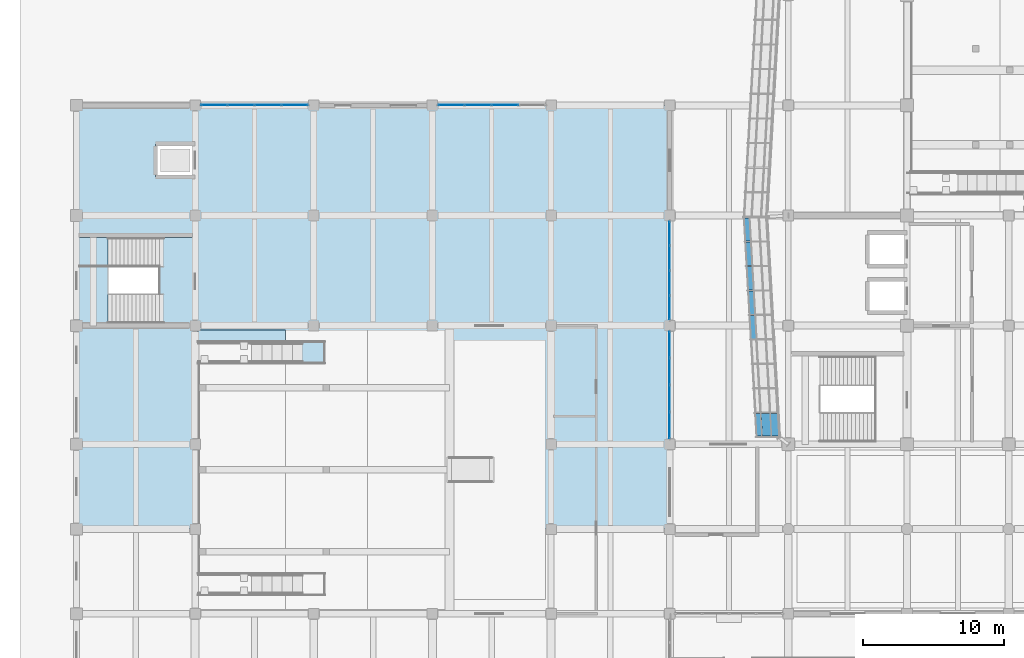
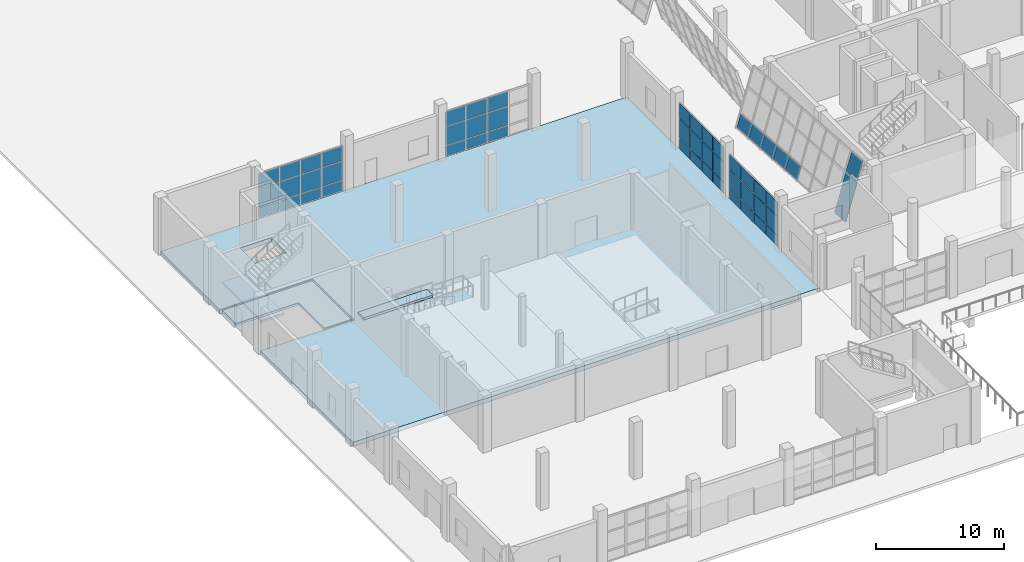
# One storey, part 47 of 78: 53 plates, 4 slabs, 6 elements without a shape of their own.
"""IFC4 building model written with IfcOpenShell, lengths in metres."""

from ifc_helpers import new_model, si_unit, direction, frame, origin, place, context, subcontext, project, spatial, polyline, outline, extrude, material, layer, layer_set, type_object, element, aggregate, save


model = new_model("IFC4")

# Units and contexts
model_context = context("Model", 3, precision=1e-05, world=origin(), true_north=direction((0.0, 1.0)))
body_context = subcontext(model_context, "Body", "Model", "MODEL_VIEW")
ifc_project = project(units=[si_unit("LENGTHUNIT", "METRE"), si_unit("AREAUNIT", "SQUARE_METRE"), si_unit("VOLUMEUNIT", "CUBIC_METRE"), si_unit("PLANEANGLEUNIT", "RADIAN"), si_unit("MASSUNIT", "GRAM", prefix="KILO")], contexts=[model_context])

# Site, building, storey
site_placement = place(None, origin())
site = spatial("IfcSite", under=ifc_project, at=site_placement, CompositionType="ELEMENT")
building_placement = place(site_placement, origin())
building = spatial("IfcBuilding", under=site, at=building_placement, Name="Pellamere Symphony Hall", CompositionType="ELEMENT")
storey_placement = place(building_placement, origin())
storey = spatial("IfcBuildingStorey", under=building, at=storey_placement, Name="L00", CompositionType="ELEMENT", Elevation=0.0)

# Curtain wall, plates
ifc_material_1 = material(Name="Thermally Broken Anodised Aluminium 6063-T6 Curtain Wall", Category="aluminium")
curtain_wall_type_1 = type_object("IfcCurtainWallType", Name="Curtain Wall CW-04 (Chamber Music Lobby Curtain Wall)", PredefinedType="NOTDEFINED", material=ifc_material_1)
curtain_wall_1_placement = place(storey_placement, origin())
curtain_wall_1 = element("IfcCurtainWall", 1, at=curtain_wall_1_placement, inside=storey, type_object=curtain_wall_type_1, Name="Chamber Forecourt East Curtain Wall (L00 Bay 2)", PredefinedType="NOTDEFINED")
ifc_material_2 = material(Name="Triple Low-E Argon Acoustic Glazing 36mm", Category="glass")
ifc_layer_1 = layer(ifc_material_2, 0.035888671875, Name="Triple Low-E Argon Acoustic Glazing 36mm")
ifc_layer_set_1 = layer_set([ifc_layer_1], Name="Triple Low-E Argon Acoustic Glazing 36mm")
plate_type_1 = type_object("IfcPlateType", Name="Facade Panel GL-01 36mm", PredefinedType="CURTAIN_PANEL", material=ifc_layer_set_1)
plate_1_placement = place(storey_placement, frame((42.0, 30.43994140625, 0.06494140625), z_axis=(1.0, 0.0, 0.0), x_axis=(0.0, 1.0, 0.0)))
plate_1 = element("IfcPlate", 2, at=plate_1_placement, type_object=plate_type_1, Name="CW4E-110 crystal glass panel 1.1", PredefinedType="CURTAIN_PANEL", context=body_context, shape_type="SweptSolid", body=[
    extrude(outline(polyline([(0.0, 0.0), (1.81494140625, 0.0), (1.81494140625, 0.9345703125), (0.0, 0.9345703125), (0.0, 0.0)])), origin(), (0.0, 0.0, -1.0), 0.035888671875),
])
plate_2_placement = place(storey_placement, frame((42.0, 30.43994140625, 1.064453125), z_axis=(1.0, 0.0, 0.0), x_axis=(0.0, 1.0, 0.0)))
plate_2 = element("IfcPlate", 3, at=plate_2_placement, type_object=plate_type_1, Name="CW4E-110 crystal glass panel 1.2", PredefinedType="CURTAIN_PANEL", context=body_context, shape_type="SweptSolid", body=[
    extrude(outline(polyline([(0.0, 0.0), (1.81494140625, 0.0), (1.81494140625, 1.740966796875), (0.0, 1.740966796875), (0.0, 0.0)])), origin(), (0.0, 0.0, -1.0), 0.035888671875),
])
plate_3_placement = place(storey_placement, frame((42.0, 30.43994140625, 2.87060546875), z_axis=(1.0, 0.0, 0.0), x_axis=(0.0, 1.0, 0.0)))
plate_3 = element("IfcPlate", 4, at=plate_3_placement, type_object=plate_type_1, Name="CW4E-110 crystal glass panel 1.3", PredefinedType="CURTAIN_PANEL", context=body_context, shape_type="SweptSolid", body=[
    extrude(outline(polyline([(0.0, 0.0), (1.81494140625, 0.0), (1.81494140625, 1.364501953125), (0.0, 1.364501953125), (0.0, 0.0)])), origin(), (0.0, 0.0, -1.0), 0.035888671875),
])
plate_4_placement = place(storey_placement, frame((42.0, 32.320068359375, 0.06494140625), z_axis=(1.0, 0.0, 0.0), x_axis=(0.0, 1.0, 0.0)))
plate_4 = element("IfcPlate", 5, at=plate_4_placement, type_object=plate_type_1, Name="CW4E-110 crystal glass panel 2.1", PredefinedType="CURTAIN_PANEL", context=body_context, shape_type="SweptSolid", body=[
    extrude(outline(polyline([(0.0, 0.0), (1.847412109375, 0.0), (1.847412109375, 0.9345703125), (0.0, 0.9345703125), (0.0, 0.0)])), origin(), (0.0, 0.0, -1.0), 0.035888671875),
])
plate_5_placement = place(storey_placement, frame((42.0, 32.320068359375, 1.064453125), z_axis=(1.0, 0.0, 0.0), x_axis=(0.0, 1.0, 0.0)))
plate_5 = element("IfcPlate", 6, at=plate_5_placement, type_object=plate_type_1, Name="CW4E-110 crystal glass panel 2.2", PredefinedType="CURTAIN_PANEL", context=body_context, shape_type="SweptSolid", body=[
    extrude(outline(polyline([(0.0, 0.0), (1.847412109375, 0.0), (1.847412109375, 1.740966796875), (0.0, 1.740966796875), (0.0, 0.0)])), origin(), (0.0, 0.0, -1.0), 0.035888671875),
])
plate_6_placement = place(storey_placement, frame((42.0, 32.320068359375, 2.87060546875), z_axis=(1.0, 0.0, 0.0), x_axis=(0.0, 1.0, 0.0)))
plate_6 = element("IfcPlate", 7, at=plate_6_placement, type_object=plate_type_1, Name="CW4E-110 crystal glass panel 2.3", PredefinedType="CURTAIN_PANEL", context=body_context, shape_type="SweptSolid", body=[
    extrude(outline(polyline([(0.0, 0.0), (1.847412109375, 0.0), (1.847412109375, 1.364501953125), (0.0, 1.364501953125), (0.0, 0.0)])), origin(), (0.0, 0.0, -1.0), 0.035888671875),
])
plate_7_placement = place(storey_placement, frame((42.0, 34.232421875, 0.06494140625), z_axis=(1.0, 0.0, 0.0), x_axis=(0.0, 1.0, 0.0)))
plate_7 = element("IfcPlate", 8, at=plate_7_placement, type_object=plate_type_1, Name="CW4E-110 crystal glass panel 3.1", PredefinedType="CURTAIN_PANEL", context=body_context, shape_type="SweptSolid", body=[
    extrude(outline(polyline([(0.0, 0.0), (1.84765625, 0.0), (1.84765625, 0.9345703125), (0.0, 0.9345703125), (0.0, 0.0)])), origin(), (0.0, 0.0, -1.0), 0.035888671875),
])
plate_8_placement = place(storey_placement, frame((42.0, 34.232421875, 1.064453125), z_axis=(1.0, 0.0, 0.0), x_axis=(0.0, 1.0, 0.0)))
plate_8 = element("IfcPlate", 9, at=plate_8_placement, type_object=plate_type_1, Name="CW4E-110 crystal glass panel 3.2", PredefinedType="CURTAIN_PANEL", context=body_context, shape_type="SweptSolid", body=[
    extrude(outline(polyline([(0.0, 0.0), (1.84765625, 0.0), (1.84765625, 1.740966796875), (0.0, 1.740966796875), (0.0, 0.0)])), origin(), (0.0, 0.0, -1.0), 0.035888671875),
])
plate_9_placement = place(storey_placement, frame((42.0, 34.232421875, 2.87060546875), z_axis=(1.0, 0.0, 0.0), x_axis=(0.0, 1.0, 0.0)))
plate_9 = element("IfcPlate", 10, at=plate_9_placement, type_object=plate_type_1, Name="CW4E-110 crystal glass panel 3.3", PredefinedType="CURTAIN_PANEL", context=body_context, shape_type="SweptSolid", body=[
    extrude(outline(polyline([(0.0, 0.0), (1.84765625, 0.0), (1.84765625, 1.364501953125), (0.0, 1.364501953125), (0.0, 0.0)])), origin(), (0.0, 0.0, -1.0), 0.035888671875),
])
plate_10_placement = place(storey_placement, frame((42.0, 36.14501953125, 0.06494140625), z_axis=(1.0, 0.0, 0.0), x_axis=(0.0, 1.0, 0.0)))
plate_10 = element("IfcPlate", 11, at=plate_10_placement, type_object=plate_type_1, Name="CW4E-110 crystal glass panel 4.1", PredefinedType="CURTAIN_PANEL", context=body_context, shape_type="SweptSolid", body=[
    extrude(outline(polyline([(0.0, 0.0), (1.81494140625, 0.0), (1.81494140625, 0.9345703125), (0.0, 0.9345703125), (0.0, 0.0)])), origin(), (0.0, 0.0, -1.0), 0.035888671875),
])
plate_11_placement = place(storey_placement, frame((42.0, 36.14501953125, 1.064453125), z_axis=(1.0, 0.0, 0.0), x_axis=(0.0, 1.0, 0.0)))
plate_11 = element("IfcPlate", 12, at=plate_11_placement, type_object=plate_type_1, Name="CW4E-110 crystal glass panel 4.2", PredefinedType="CURTAIN_PANEL", context=body_context, shape_type="SweptSolid", body=[
    extrude(outline(polyline([(0.0, 0.0), (1.81494140625, 0.0), (1.81494140625, 1.740966796875), (0.0, 1.740966796875), (0.0, 0.0)])), origin(), (0.0, 0.0, -1.0), 0.035888671875),
])
plate_12_placement = place(storey_placement, frame((42.0, 36.14501953125, 2.87060546875), z_axis=(1.0, 0.0, 0.0), x_axis=(0.0, 1.0, 0.0)))
plate_12 = element("IfcPlate", 13, at=plate_12_placement, type_object=plate_type_1, Name="CW4E-110 crystal glass panel 4.3", PredefinedType="CURTAIN_PANEL", context=body_context, shape_type="SweptSolid", body=[
    extrude(outline(polyline([(0.0, 0.0), (1.81494140625, 0.0), (1.81494140625, 1.364501953125), (0.0, 1.364501953125), (0.0, 0.0)])), origin(), (0.0, 0.0, -1.0), 0.035888671875),
])
aggregate(curtain_wall_1, [plate_1, plate_2, plate_3, plate_4, plate_5, plate_6, plate_7, plate_8, plate_9, plate_10, plate_11, plate_12])

curtain_wall_2_placement = place(storey_placement, origin())
curtain_wall_2 = element("IfcCurtainWall", 14, at=curtain_wall_2_placement, inside=storey, type_object=curtain_wall_type_1, Name="Chamber Forecourt East Curtain Wall (L00 Bay 3)", PredefinedType="NOTDEFINED")
plate_13_placement = place(storey_placement, frame((42.0, 38.840087890625, 0.06494140625), z_axis=(1.0, 0.0, 0.0), x_axis=(0.0, 1.0, 0.0)))
plate_13 = element("IfcPlate", 15, at=plate_13_placement, type_object=plate_type_1, Name="CW4E-111 crystal glass panel 1.1", PredefinedType="CURTAIN_PANEL", context=body_context, shape_type="SweptSolid", body=[
    extrude(outline(polyline([(0.0, 0.0), (1.664794921875, 0.0), (1.664794921875, 0.970458984375), (0.0, 0.970458984375), (0.0, 0.0)])), origin(), (0.0, 0.0, -1.0), 0.035888671875),
])
plate_14_placement = place(storey_placement, frame((42.0, 38.840087890625, 1.1005859375), z_axis=(1.0, 0.0, 0.0), x_axis=(0.0, 1.0, 0.0)))
plate_14 = element("IfcPlate", 16, at=plate_14_placement, type_object=plate_type_1, Name="CW4E-111 crystal glass panel 1.2", PredefinedType="CURTAIN_PANEL", context=body_context, shape_type="SweptSolid", body=[
    extrude(outline(polyline([(0.0, 0.0), (1.664794921875, 0.0), (1.664794921875, 1.803955078125), (0.0, 1.803955078125), (0.0, 0.0)])), origin(), (0.0, 0.0, -1.0), 0.035888671875),
])
plate_15_placement = place(storey_placement, frame((42.0, 38.840087890625, 2.969482421875), z_axis=(1.0, 0.0, 0.0), x_axis=(0.0, 1.0, 0.0)))
plate_15 = element("IfcPlate", 17, at=plate_15_placement, type_object=plate_type_1, Name="CW4E-111 crystal glass panel 1.3", PredefinedType="CURTAIN_PANEL", context=body_context, shape_type="SweptSolid", body=[
    extrude(outline(polyline([(0.0, 0.0), (1.664794921875, 0.0), (1.664794921875, 1.41552734375), (0.0, 1.41552734375), (0.0, 0.0)])), origin(), (0.0, 0.0, -1.0), 0.035888671875),
])
plate_16_placement = place(storey_placement, frame((42.0, 40.570068359375, 0.06494140625), z_axis=(1.0, 0.0, 0.0), x_axis=(0.0, 1.0, 0.0)))
plate_16 = element("IfcPlate", 18, at=plate_16_placement, type_object=plate_type_1, Name="CW4E-111 crystal glass panel 2.1", PredefinedType="CURTAIN_PANEL", context=body_context, shape_type="SweptSolid", body=[
    extrude(outline(polyline([(0.0, 0.0), (1.697509765625, 0.0), (1.697509765625, 0.970458984375), (0.0, 0.970458984375), (0.0, 0.0)])), origin(), (0.0, 0.0, -1.0), 0.035888671875),
])
plate_17_placement = place(storey_placement, frame((42.0, 40.570068359375, 1.1005859375), z_axis=(1.0, 0.0, 0.0), x_axis=(0.0, 1.0, 0.0)))
plate_17 = element("IfcPlate", 19, at=plate_17_placement, type_object=plate_type_1, Name="CW4E-111 crystal glass panel 2.2", PredefinedType="CURTAIN_PANEL", context=body_context, shape_type="SweptSolid", body=[
    extrude(outline(polyline([(0.0, 0.0), (1.697509765625, 0.0), (1.697509765625, 1.803955078125), (0.0, 1.803955078125), (0.0, 0.0)])), origin(), (0.0, 0.0, -1.0), 0.035888671875),
])
plate_18_placement = place(storey_placement, frame((42.0, 40.570068359375, 2.969482421875), z_axis=(1.0, 0.0, 0.0), x_axis=(0.0, 1.0, 0.0)))
plate_18 = element("IfcPlate", 20, at=plate_18_placement, type_object=plate_type_1, Name="CW4E-111 crystal glass panel 2.3", PredefinedType="CURTAIN_PANEL", context=body_context, shape_type="SweptSolid", body=[
    extrude(outline(polyline([(0.0, 0.0), (1.697509765625, 0.0), (1.697509765625, 1.41552734375), (0.0, 1.41552734375), (0.0, 0.0)])), origin(), (0.0, 0.0, -1.0), 0.035888671875),
])
plate_19_placement = place(storey_placement, frame((42.0, 42.33251953125, 0.06494140625), z_axis=(1.0, 0.0, 0.0), x_axis=(0.0, 1.0, 0.0)))
plate_19 = element("IfcPlate", 21, at=plate_19_placement, type_object=plate_type_1, Name="CW4E-111 crystal glass panel 3.1", PredefinedType="CURTAIN_PANEL", context=body_context, shape_type="SweptSolid", body=[
    extrude(outline(polyline([(0.0, 0.0), (1.697509765625, 0.0), (1.697509765625, 0.970458984375), (0.0, 0.970458984375), (0.0, 0.0)])), origin(), (0.0, 0.0, -1.0), 0.035888671875),
])
plate_20_placement = place(storey_placement, frame((42.0, 42.33251953125, 1.1005859375), z_axis=(1.0, 0.0, 0.0), x_axis=(0.0, 1.0, 0.0)))
plate_20 = element("IfcPlate", 22, at=plate_20_placement, type_object=plate_type_1, Name="CW4E-111 crystal glass panel 3.2", PredefinedType="CURTAIN_PANEL", context=body_context, shape_type="SweptSolid", body=[
    extrude(outline(polyline([(0.0, 0.0), (1.697509765625, 0.0), (1.697509765625, 1.803955078125), (0.0, 1.803955078125), (0.0, 0.0)])), origin(), (0.0, 0.0, -1.0), 0.035888671875),
])
plate_21_placement = place(storey_placement, frame((42.0, 42.33251953125, 2.969482421875), z_axis=(1.0, 0.0, 0.0), x_axis=(0.0, 1.0, 0.0)))
plate_21 = element("IfcPlate", 23, at=plate_21_placement, type_object=plate_type_1, Name="CW4E-111 crystal glass panel 3.3", PredefinedType="CURTAIN_PANEL", context=body_context, shape_type="SweptSolid", body=[
    extrude(outline(polyline([(0.0, 0.0), (1.697509765625, 0.0), (1.697509765625, 1.41552734375), (0.0, 1.41552734375), (0.0, 0.0)])), origin(), (0.0, 0.0, -1.0), 0.035888671875),
])
plate_22_placement = place(storey_placement, frame((42.0, 44.094970703125, 0.06494140625), z_axis=(1.0, 0.0, 0.0), x_axis=(0.0, 1.0, 0.0)))
plate_22 = element("IfcPlate", 24, at=plate_22_placement, type_object=plate_type_1, Name="CW4E-111 crystal glass panel 4.1", PredefinedType="CURTAIN_PANEL", context=body_context, shape_type="SweptSolid", body=[
    extrude(outline(polyline([(0.0, 0.0), (1.6650390625, 0.0), (1.6650390625, 0.970458984375), (0.0, 0.970458984375), (0.0, 0.0)])), origin(), (0.0, 0.0, -1.0), 0.035888671875),
])
plate_23_placement = place(storey_placement, frame((42.0, 44.094970703125, 1.1005859375), z_axis=(1.0, 0.0, 0.0), x_axis=(0.0, 1.0, 0.0)))
plate_23 = element("IfcPlate", 25, at=plate_23_placement, type_object=plate_type_1, Name="CW4E-111 crystal glass panel 4.2", PredefinedType="CURTAIN_PANEL", context=body_context, shape_type="SweptSolid", body=[
    extrude(outline(polyline([(0.0, 0.0), (1.6650390625, 0.0), (1.6650390625, 1.803955078125), (0.0, 1.803955078125), (0.0, 0.0)])), origin(), (0.0, 0.0, -1.0), 0.035888671875),
])
plate_24_placement = place(storey_placement, frame((42.0, 44.094970703125, 2.969482421875), z_axis=(1.0, 0.0, 0.0), x_axis=(0.0, 1.0, 0.0)))
plate_24 = element("IfcPlate", 26, at=plate_24_placement, type_object=plate_type_1, Name="CW4E-111 crystal glass panel 4.3", PredefinedType="CURTAIN_PANEL", context=body_context, shape_type="SweptSolid", body=[
    extrude(outline(polyline([(0.0, 0.0), (1.6650390625, 0.0), (1.6650390625, 1.41552734375), (0.0, 1.41552734375), (0.0, 0.0)])), origin(), (0.0, 0.0, -1.0), 0.035888671875),
])
aggregate(curtain_wall_2, [plate_13, plate_14, plate_15, plate_16, plate_17, plate_18, plate_19, plate_20, plate_21, plate_22, plate_23, plate_24])

curtain_wall_3_placement = place(storey_placement, origin())
curtain_wall_3 = element("IfcCurtainWall", 27, at=curtain_wall_3_placement, inside=storey, type_object=curtain_wall_type_1, Name="Chamber Garden North Curtain Wall (L00 Bay 1)", PredefinedType="NOTDEFINED")
plate_25_placement = place(storey_placement, frame((8.840087890625, 54.0, 0.06494140625), z_axis=(0.0, -1.0, 0.0), x_axis=(1.0, 0.0, 0.0)))
plate_25 = element("IfcPlate", 28, at=plate_25_placement, type_object=plate_type_1, Name="CW4N-112 crystal glass panel 1.1", PredefinedType="CURTAIN_PANEL", context=body_context, shape_type="SweptSolid", body=[
    extrude(outline(polyline([(0.0, 0.0), (1.81494140625, 0.0), (1.81494140625, 0.944091796875), (0.0, 0.944091796875), (0.0, 0.0)])), origin(), (0.0, 0.0, -1.0), 0.035888671875),
])
plate_26_placement = place(storey_placement, frame((8.840087890625, 54.0, 1.07421875), z_axis=(0.0, -1.0, 0.0), x_axis=(1.0, 0.0, 0.0)))
plate_26 = element("IfcPlate", 29, at=plate_26_placement, type_object=plate_type_1, Name="CW4N-112 crystal glass panel 1.2", PredefinedType="CURTAIN_PANEL", context=body_context, shape_type="SweptSolid", body=[
    extrude(outline(polyline([(0.0, 0.0), (1.81494140625, 0.0), (1.81494140625, 1.757568359375), (0.0, 1.757568359375), (0.0, 0.0)])), origin(), (0.0, 0.0, -1.0), 0.035888671875),
])
plate_27_placement = place(storey_placement, frame((8.840087890625, 54.0, 2.89697265625), z_axis=(0.0, -1.0, 0.0), x_axis=(1.0, 0.0, 0.0)))
plate_27 = element("IfcPlate", 30, at=plate_27_placement, type_object=plate_type_1, Name="CW4N-112 crystal glass panel 1.3", PredefinedType="CURTAIN_PANEL", context=body_context, shape_type="SweptSolid", body=[
    extrude(outline(polyline([(0.0, 0.0), (1.81494140625, 0.0), (1.81494140625, 1.3779296875), (0.0, 1.3779296875), (0.0, 0.0)])), origin(), (0.0, 0.0, -1.0), 0.035888671875),
])
plate_28_placement = place(storey_placement, frame((10.719970703125, 54.0, 0.06494140625), z_axis=(0.0, -1.0, 0.0), x_axis=(1.0, 0.0, 0.0)))
plate_28 = element("IfcPlate", 31, at=plate_28_placement, type_object=plate_type_1, Name="CW4N-112 crystal glass panel 2.1", PredefinedType="CURTAIN_PANEL", context=body_context, shape_type="SweptSolid", body=[
    extrude(outline(polyline([(0.0, 0.0), (1.847412109375, 0.0), (1.847412109375, 0.944091796875), (0.0, 0.944091796875), (0.0, 0.0)])), origin(), (0.0, 0.0, -1.0), 0.035888671875),
])
plate_29_placement = place(storey_placement, frame((10.719970703125, 54.0, 1.07421875), z_axis=(0.0, -1.0, 0.0), x_axis=(1.0, 0.0, 0.0)))
plate_29 = element("IfcPlate", 32, at=plate_29_placement, type_object=plate_type_1, Name="CW4N-112 crystal glass panel 2.2", PredefinedType="CURTAIN_PANEL", context=body_context, shape_type="SweptSolid", body=[
    extrude(outline(polyline([(0.0, 0.0), (1.847412109375, 0.0), (1.847412109375, 1.757568359375), (0.0, 1.757568359375), (0.0, 0.0)])), origin(), (0.0, 0.0, -1.0), 0.035888671875),
])
plate_30_placement = place(storey_placement, frame((10.719970703125, 54.0, 2.89697265625), z_axis=(0.0, -1.0, 0.0), x_axis=(1.0, 0.0, 0.0)))
plate_30 = element("IfcPlate", 33, at=plate_30_placement, type_object=plate_type_1, Name="CW4N-112 crystal glass panel 2.3", PredefinedType="CURTAIN_PANEL", context=body_context, shape_type="SweptSolid", body=[
    extrude(outline(polyline([(0.0, 0.0), (1.847412109375, 0.0), (1.847412109375, 1.3779296875), (0.0, 1.3779296875), (0.0, 0.0)])), origin(), (0.0, 0.0, -1.0), 0.035888671875),
])
plate_31_placement = place(storey_placement, frame((12.632568359375, 54.0, 0.06494140625), z_axis=(0.0, -1.0, 0.0), x_axis=(1.0, 0.0, 0.0)))
plate_31 = element("IfcPlate", 34, at=plate_31_placement, type_object=plate_type_1, Name="CW4N-112 crystal glass panel 3.1", PredefinedType="CURTAIN_PANEL", context=body_context, shape_type="SweptSolid", body=[
    extrude(outline(polyline([(0.0, 0.0), (1.847412109375, 0.0), (1.847412109375, 0.944091796875), (0.0, 0.944091796875), (0.0, 0.0)])), origin(), (0.0, 0.0, -1.0), 0.035888671875),
])
plate_32_placement = place(storey_placement, frame((12.632568359375, 54.0, 1.07421875), z_axis=(0.0, -1.0, 0.0), x_axis=(1.0, 0.0, 0.0)))
plate_32 = element("IfcPlate", 35, at=plate_32_placement, type_object=plate_type_1, Name="CW4N-112 crystal glass panel 3.2", PredefinedType="CURTAIN_PANEL", context=body_context, shape_type="SweptSolid", body=[
    extrude(outline(polyline([(0.0, 0.0), (1.847412109375, 0.0), (1.847412109375, 1.757568359375), (0.0, 1.757568359375), (0.0, 0.0)])), origin(), (0.0, 0.0, -1.0), 0.035888671875),
])
plate_33_placement = place(storey_placement, frame((12.632568359375, 54.0, 2.89697265625), z_axis=(0.0, -1.0, 0.0), x_axis=(1.0, 0.0, 0.0)))
plate_33 = element("IfcPlate", 36, at=plate_33_placement, type_object=plate_type_1, Name="CW4N-112 crystal glass panel 3.3", PredefinedType="CURTAIN_PANEL", context=body_context, shape_type="SweptSolid", body=[
    extrude(outline(polyline([(0.0, 0.0), (1.847412109375, 0.0), (1.847412109375, 1.3779296875), (0.0, 1.3779296875), (0.0, 0.0)])), origin(), (0.0, 0.0, -1.0), 0.035888671875),
])
plate_34_placement = place(storey_placement, frame((14.544921875, 54.0, 0.06494140625), z_axis=(0.0, -1.0, 0.0), x_axis=(1.0, 0.0, 0.0)))
plate_34 = element("IfcPlate", 37, at=plate_34_placement, type_object=plate_type_1, Name="CW4N-112 crystal glass panel 4.1", PredefinedType="CURTAIN_PANEL", context=body_context, shape_type="SweptSolid", body=[
    extrude(outline(polyline([(0.0, 0.0), (1.815185546875, 0.0), (1.815185546875, 0.944091796875), (0.0, 0.944091796875), (0.0, 0.0)])), origin(), (0.0, 0.0, -1.0), 0.035888671875),
])
plate_35_placement = place(storey_placement, frame((14.544921875, 54.0, 1.07421875), z_axis=(0.0, -1.0, 0.0), x_axis=(1.0, 0.0, 0.0)))
plate_35 = element("IfcPlate", 38, at=plate_35_placement, type_object=plate_type_1, Name="CW4N-112 crystal glass panel 4.2", PredefinedType="CURTAIN_PANEL", context=body_context, shape_type="SweptSolid", body=[
    extrude(outline(polyline([(0.0, 0.0), (1.815185546875, 0.0), (1.815185546875, 1.757568359375), (0.0, 1.757568359375), (0.0, 0.0)])), origin(), (0.0, 0.0, -1.0), 0.035888671875),
])
plate_36_placement = place(storey_placement, frame((14.544921875, 54.0, 2.89697265625), z_axis=(0.0, -1.0, 0.0), x_axis=(1.0, 0.0, 0.0)))
plate_36 = element("IfcPlate", 39, at=plate_36_placement, type_object=plate_type_1, Name="CW4N-112 crystal glass panel 4.3", PredefinedType="CURTAIN_PANEL", context=body_context, shape_type="SweptSolid", body=[
    extrude(outline(polyline([(0.0, 0.0), (1.815185546875, 0.0), (1.815185546875, 1.3779296875), (0.0, 1.3779296875), (0.0, 0.0)])), origin(), (0.0, 0.0, -1.0), 0.035888671875),
])
aggregate(curtain_wall_3, [plate_25, plate_26, plate_27, plate_28, plate_29, plate_30, plate_31, plate_32, plate_33, plate_34, plate_35, plate_36])

curtain_wall_4_placement = place(storey_placement, origin())
curtain_wall_4 = element("IfcCurtainWall", 40, at=curtain_wall_4_placement, inside=storey, type_object=curtain_wall_type_1, Name="Chamber Garden North Curtain Wall (L00 Bay 2)", PredefinedType="NOTDEFINED")
plate_37_placement = place(storey_placement, frame((25.639892578125, 54.0, 0.06494140625), z_axis=(0.0, -1.0, 0.0), x_axis=(1.0, 0.0, 0.0)))
plate_37 = element("IfcPlate", 41, at=plate_37_placement, type_object=plate_type_1, Name="CW4N-113 crystal glass panel 1.1", PredefinedType="CURTAIN_PANEL", context=body_context, shape_type="SweptSolid", body=[
    extrude(outline(polyline([(0.0, 0.0), (1.815185546875, 0.0), (1.815185546875, 0.944091796875), (0.0, 0.944091796875), (0.0, 0.0)])), origin(), (0.0, 0.0, -1.0), 0.035888671875),
])
plate_38_placement = place(storey_placement, frame((25.639892578125, 54.0, 1.07421875), z_axis=(0.0, -1.0, 0.0), x_axis=(1.0, 0.0, 0.0)))
plate_38 = element("IfcPlate", 42, at=plate_38_placement, type_object=plate_type_1, Name="CW4N-113 crystal glass panel 1.2", PredefinedType="CURTAIN_PANEL", context=body_context, shape_type="SweptSolid", body=[
    extrude(outline(polyline([(0.0, 0.0), (1.815185546875, 0.0), (1.815185546875, 1.757568359375), (0.0, 1.757568359375), (0.0, 0.0)])), origin(), (0.0, 0.0, -1.0), 0.035888671875),
])
plate_39_placement = place(storey_placement, frame((25.639892578125, 54.0, 2.89697265625), z_axis=(0.0, -1.0, 0.0), x_axis=(1.0, 0.0, 0.0)))
plate_39 = element("IfcPlate", 43, at=plate_39_placement, type_object=plate_type_1, Name="CW4N-113 crystal glass panel 1.3", PredefinedType="CURTAIN_PANEL", context=body_context, shape_type="SweptSolid", body=[
    extrude(outline(polyline([(0.0, 0.0), (1.815185546875, 0.0), (1.815185546875, 1.3779296875), (0.0, 1.3779296875), (0.0, 0.0)])), origin(), (0.0, 0.0, -1.0), 0.035888671875),
])
plate_40_placement = place(storey_placement, frame((27.52001953125, 54.0, 0.06494140625), z_axis=(0.0, -1.0, 0.0), x_axis=(1.0, 0.0, 0.0)))
plate_40 = element("IfcPlate", 44, at=plate_40_placement, type_object=plate_type_1, Name="CW4N-113 crystal glass panel 2.1", PredefinedType="CURTAIN_PANEL", context=body_context, shape_type="SweptSolid", body=[
    extrude(outline(polyline([(0.0, 0.0), (1.847412109375, 0.0), (1.847412109375, 0.944091796875), (0.0, 0.944091796875), (0.0, 0.0)])), origin(), (0.0, 0.0, -1.0), 0.035888671875),
])
plate_41_placement = place(storey_placement, frame((27.52001953125, 54.0, 1.07421875), z_axis=(0.0, -1.0, 0.0), x_axis=(1.0, 0.0, 0.0)))
plate_41 = element("IfcPlate", 45, at=plate_41_placement, type_object=plate_type_1, Name="CW4N-113 crystal glass panel 2.2", PredefinedType="CURTAIN_PANEL", context=body_context, shape_type="SweptSolid", body=[
    extrude(outline(polyline([(0.0, 0.0), (1.847412109375, 0.0), (1.847412109375, 1.757568359375), (0.0, 1.757568359375), (0.0, 0.0)])), origin(), (0.0, 0.0, -1.0), 0.035888671875),
])
plate_42_placement = place(storey_placement, frame((27.52001953125, 54.0, 2.89697265625), z_axis=(0.0, -1.0, 0.0), x_axis=(1.0, 0.0, 0.0)))
plate_42 = element("IfcPlate", 46, at=plate_42_placement, type_object=plate_type_1, Name="CW4N-113 crystal glass panel 2.3", PredefinedType="CURTAIN_PANEL", context=body_context, shape_type="SweptSolid", body=[
    extrude(outline(polyline([(0.0, 0.0), (1.847412109375, 0.0), (1.847412109375, 1.3779296875), (0.0, 1.3779296875), (0.0, 0.0)])), origin(), (0.0, 0.0, -1.0), 0.035888671875),
])
plate_43_placement = place(storey_placement, frame((29.4326171875, 54.0, 0.06494140625), z_axis=(0.0, -1.0, 0.0), x_axis=(1.0, 0.0, 0.0)))
plate_43 = element("IfcPlate", 47, at=plate_43_placement, type_object=plate_type_1, Name="CW4N-113 crystal glass panel 3.1", PredefinedType="CURTAIN_PANEL", context=body_context, shape_type="SweptSolid", body=[
    extrude(outline(polyline([(0.0, 0.0), (1.847412109375, 0.0), (1.847412109375, 0.944091796875), (0.0, 0.944091796875), (0.0, 0.0)])), origin(), (0.0, 0.0, -1.0), 0.035888671875),
])
plate_44_placement = place(storey_placement, frame((29.4326171875, 54.0, 1.07421875), z_axis=(0.0, -1.0, 0.0), x_axis=(1.0, 0.0, 0.0)))
plate_44 = element("IfcPlate", 48, at=plate_44_placement, type_object=plate_type_1, Name="CW4N-113 crystal glass panel 3.2", PredefinedType="CURTAIN_PANEL", context=body_context, shape_type="SweptSolid", body=[
    extrude(outline(polyline([(0.0, 0.0), (1.847412109375, 0.0), (1.847412109375, 1.757568359375), (0.0, 1.757568359375), (0.0, 0.0)])), origin(), (0.0, 0.0, -1.0), 0.035888671875),
])
plate_45_placement = place(storey_placement, frame((29.4326171875, 54.0, 2.89697265625), z_axis=(0.0, -1.0, 0.0), x_axis=(1.0, 0.0, 0.0)))
plate_45 = element("IfcPlate", 49, at=plate_45_placement, type_object=plate_type_1, Name="CW4N-113 crystal glass panel 3.3", PredefinedType="CURTAIN_PANEL", context=body_context, shape_type="SweptSolid", body=[
    extrude(outline(polyline([(0.0, 0.0), (1.847412109375, 0.0), (1.847412109375, 1.3779296875), (0.0, 1.3779296875), (0.0, 0.0)])), origin(), (0.0, 0.0, -1.0), 0.035888671875),
])
aggregate(curtain_wall_4, [plate_37, plate_38, plate_39, plate_40, plate_41, plate_42, plate_43, plate_44, plate_45])

curtain_wall_type_2 = type_object("IfcCurtainWallType", Name="Curtain Wall CW-01 (Tilted Faceted Crystal Low-Iron Curtain Wall)", PredefinedType="NOTDEFINED", material=ifc_material_1)
curtain_wall_5_placement = place(storey_placement, origin())
curtain_wall_5 = element("IfcCurtainWall", 50, at=curtain_wall_5_placement, inside=storey, type_object=curtain_wall_type_2, Name="Crystal Faceted Curtain Wall CW-CR18 (L00)", PredefinedType="NOTDEFINED")
ifc_material_3 = material(Name="Triple Laminated Acoustic Crystal Glazing 42mm", Category="glass")
ifc_layer_2 = layer(ifc_material_3, 0.0419921875, Name="Triple Laminated Acoustic Crystal Glazing 42mm")
ifc_layer_set_2 = layer_set([ifc_layer_2], Name="Triple Laminated Acoustic Crystal Glazing 42mm")
plate_type_2 = type_object("IfcPlateType", Name="Facade Panel GL-02 42mm", PredefinedType="CURTAIN_PANEL", material=ifc_layer_set_2)
plate_46_placement = place(storey_placement, frame((47.276123046875, 46.025146484375, 0.072021484375), z_axis=(-0.957376745605, -0.055222182766, 0.283514157504), x_axis=(0.057585007883, -0.99834060664, 0.0)))
plate_46 = element("IfcPlate", 51, at=plate_46_placement, type_object=plate_type_2, Name="CW1-052 crystal glass panel 1.1", PredefinedType="CURTAIN_PANEL", context=body_context, shape_type="SweptSolid", body=[
    extrude(outline(polyline([(0.0, 0.0), (1.6237882534451713, 0.0), (1.6440470416188617, 1.2388194583057333), (0.020258788173690395, 1.2388194583057333), (0.0, 0.0)])), origin(), (0.0, 0.0, -1.0), 0.0419921875),
])
plate_47_placement = place(storey_placement, frame((47.373779296875, 44.329345703125, 0.072021484375), z_axis=(-0.957322455324, -0.055235561155, 0.283694817217), x_axis=(0.057602168051, -0.998339616682, 0.0)))
plate_47 = element("IfcPlate", 52, at=plate_47_placement, type_object=plate_type_2, Name="CW1-052 crystal glass panel 2.1", PredefinedType="CURTAIN_PANEL", context=body_context, shape_type="SweptSolid", body=[
    extrude(outline(polyline([(0.0, 0.0), (1.6614500501978287, -3.469446951953614e-18), (1.6817289384619114, 1.2388884839471377), (0.020278888264082726, 1.2388884839471377), (0.0, 0.0)])), origin(), (0.0, 0.0, -1.0), 0.0419921875),
])
plate_48_placement = place(storey_placement, frame((47.473876953125, 42.595947265625, 0.072021484375), z_axis=(-0.957352461937, -0.055174957876, 0.28360533783), x_axis=(0.057543270835, -0.998343012989, 1.9951371e-05)))
plate_48 = element("IfcPlate", 53, at=plate_48_placement, type_object=plate_type_2, Name="CW1-052 crystal glass panel 3.1", PredefinedType="CURTAIN_PANEL", context=body_context, shape_type="SweptSolid", body=[
    extrude(outline(polyline([(0.0, 0.0), (1.661206310888728, 0.0), (1.681474117686801, 1.2388193052764012), (0.020281855448179353, 1.2388884298629863), (0.0, 0.0)])), origin(), (0.0, 0.0, -1.0), 0.0419921875),
])
plate_49_placement = place(storey_placement, frame((47.573974609375, 40.862548828125, 0.072021484375), z_axis=(-0.957352461937, -0.055174957876, 0.28360533783), x_axis=(0.057531489162, -0.998343692, -1.995154e-05)))
plate_49 = element("IfcPlate", 54, at=plate_49_placement, type_object=plate_type_2, Name="CW1-052 crystal glass panel 4.1", PredefinedType="CURTAIN_PANEL", context=body_context, shape_type="SweptSolid", body=[
    extrude(outline(polyline([(0.0, 0.0), (1.6611922636768082, 3.469446951953614e-18), (1.6814225671875138, 1.2388892727474323), (0.020216257736984565, 1.2388201475763225), (0.0, 0.0)])), origin(), (0.0, 0.0, -1.0), 0.0419921875),
])
plate_50_placement = place(storey_placement, frame((47.673828125, 39.129150390625, 0.072021484375), z_axis=(-0.957322025327, -0.055243667588, 0.283694689791), x_axis=(0.057610619545, -0.998339129012, 0.0)))
plate_50 = element("IfcPlate", 55, at=plate_50_placement, type_object=plate_type_2, Name="CW1-052 crystal glass panel 5.1", PredefinedType="CURTAIN_PANEL", context=body_context, shape_type="SweptSolid", body=[
    extrude(outline(polyline([(0.0, 0.0), (1.6612063149993754, 0.0), (1.681488178618663, 1.238888435241121), (0.02028186361928745, 1.238888435241121), (0.0, 0.0)])), origin(), (0.0, 0.0, -1.0), 0.0419921875),
])
plate_51_placement = place(storey_placement, frame((48.073974609375, 32.19580078125, 0.072021484375), z_axis=(-0.957376305821, -0.055230475242, 0.283514027268), x_axis=(0.057593652861, -0.998340107954, 0.0)))
plate_51 = element("IfcPlate", 56, at=plate_51_placement, type_object=plate_type_2, Name="CW1-052 crystal glass panel 9.1", PredefinedType="CURTAIN_PANEL", context=body_context, shape_type="SweptSolid", body=[
    extrude(outline(polyline([(0.0, 0.0), (1.6235445180063734, -3.469446951953614e-18), (1.643806347540846, 1.238819408565709), (0.020261829534472475, 1.238819408565709), (0.0, 0.0)])), origin(), (0.0, 0.0, -1.0), 0.0419921875),
])
plate_52_placement = place(storey_placement, frame((48.447021484375, 32.19580078125, 1.33203125), z_axis=(-0.957340113385, -0.055228387321, 0.283636620586), x_axis=(0.057593652861, -0.998340107954, 0.0)))
plate_52 = element("IfcPlate", 57, at=plate_52_placement, type_object=plate_type_2, Name="CW1-052 crystal glass panel 9.2", PredefinedType="CURTAIN_PANEL", context=body_context, shape_type="SweptSolid", body=[
    extrude(outline(polyline([(0.0, 0.0), (1.6235445180063734, 0.0), (1.6610169508373027, 2.2900949137340585), (0.03747243283092932, 2.2900949137340585), (0.0, 0.0)])), origin(), (0.0, 0.0, -1.0), 0.0419921875),
])
plate_53_placement = place(storey_placement, frame((49.118896484375, 32.19580078125, 3.599853515625), z_axis=(-0.95735244166, -0.055229098532, 0.283594867942), x_axis=(0.057593652861, -0.998340107954, 0.0)))
plate_53 = element("IfcPlate", 58, at=plate_53_placement, type_object=plate_type_2, Name="CW1-052 crystal glass panel 9.3", PredefinedType="CURTAIN_PANEL", context=body_context, shape_type="SweptSolid", body=[
    extrude(outline(polyline([(0.0, 0.0), (1.6235445180063734, -3.469446951953614e-18), (1.653030331006921, 1.8022649394338692), (0.029485813000547385, 1.8022649394338692), (0.0, 0.0)])), origin(), (0.0, 0.0, -1.0), 0.0419921875),
])
aggregate(curtain_wall_5, [plate_46, plate_47, plate_48, plate_49, plate_50, plate_51, plate_52, plate_53])

# Stair, slabs
ifc_material_4 = material(Name="Concrete 40 MPa", Category="concrete")
stair_type = type_object("IfcStairType", Name="Stair ST-B W2050", PredefinedType="HALF_TURN_STAIR", material=ifc_material_4)
stair_placement = place(storey_placement, origin())
stair = element("IfcStair", 59, at=stair_placement, inside=storey, type_object=stair_type, Name="Exit Stair ST03-L00 (L00 to L01)", PredefinedType="HALF_TURN_STAIR")
ifc_layer_3 = layer(ifc_material_4, 0.219970703125, Name="Concrete 40 MPa")
ifc_layer_set_3 = layer_set([ifc_layer_3], Name="Concrete 40 MPa")
slab_type_1 = type_object("IfcSlabType", Name="Stair Landing SL-01 220mm", PredefinedType="LANDING", material=ifc_layer_set_3)
slab_1_placement = place(storey_placement, frame((0.0, 0.0, -0.219970703125)))
slab_1 = element("IfcSlab", 60, at=slab_1_placement, type_object=slab_type_1, Name="Stair ST03-L00 Bottom Landing (L00)", PredefinedType="LANDING", context=body_context, shape_type="SweptSolid", body=[
    extrude(outline(polyline([(5.824951171875, 38.56005859375), (8.239990234375, 38.56005859375), (8.239990234375, 44.639892578125), (0.159912109375, 44.639892578125), (0.159912109375, 42.56005859375), (5.824951171875, 42.56005859375), (5.824951171875, 38.56005859375)])), origin(), (0.0, 0.0, 1.0), 0.219970703125),
])
slab_2_placement = place(storey_placement, frame((0.0, 0.0, 2.47998046875)))
slab_2 = element("IfcSlab", 61, at=slab_2_placement, type_object=slab_type_1, Name="Stair ST03-L00 Half Landing (L00)", PredefinedType="LANDING", context=body_context, shape_type="SweptSolid", body=[
    extrude(outline(polyline([(0.159912109375, 38.56005859375), (2.22509765625, 38.56005859375), (2.22509765625, 44.639892578125), (0.159912109375, 44.639892578125), (0.159912109375, 38.56005859375)])), origin(), (0.0, 0.0, 1.0), 0.219970703125),
])
aggregate(stair, [slab_1, slab_2])

# Slabs
ifc_layer_4 = layer(ifc_material_4, 0.419921875, Name="Concrete 40 MPa")
ifc_layer_set_4 = layer_set([ifc_layer_4], Name="Concrete 40 MPa")
slab_type_2 = type_object("IfcSlabType", Name="Structural Slab BS-03 420mm", PredefinedType="BASESLAB", material=ifc_layer_set_4)
slab_3_placement = place(storey_placement, frame((0.0, 0.0, -0.419921875)))
element("IfcSlab", 62, at=slab_3_placement, inside=storey, type_object=slab_type_2, Name="Floor Slab L00-V2N-1", PredefinedType="BASESLAB", context=body_context, shape_type="SweptSolid", body=[
    extrude(outline(polyline([(0.0, 54.0), (42.0, 54.0), (42.0, 24.0), (0.0, 24.0), (0.0, 38.39990234375), (8.39990234375, 38.39990234375), (8.39990234375, 44.800048828125), (0.0, 44.800048828125), (0.0, 54.0)]), holes=[polyline([(8.39990234375, 51.27490234375), (5.60009765625, 51.27490234375), (5.60009765625, 48.925048828125), (8.39990234375, 48.925048828125), (8.39990234375, 51.27490234375)])]), origin(), (0.0, 0.0, 1.0), 0.419921875),
])
ifc_material_5 = material(Name="Precast concrete 40 MPa", Category="concrete")
ifc_layer_5 = layer(ifc_material_5, 0.219970703125, Name="Precast concrete 40 MPa")
ifc_layer_set_5 = layer_set([ifc_layer_5], Name="Precast concrete 40 MPa")
slab_type_3 = type_object("IfcSlabType", Name="Structural Slab ST-T1 220mm", PredefinedType="USERDEFINED", material=ifc_layer_set_5)
slab_4_placement = place(storey_placement, frame((0.0, 0.0, 0.6298828125)))
element("IfcSlab", 63, at=slab_4_placement, inside=storey, type_object=slab_type_3, Name="Stand Chamber Stalls Bay 3", ObjectType="SEATING TIER", PredefinedType="USERDEFINED", context=body_context, shape_type="SweptSolid", body=[
    extrude(outline(polyline([(8.60009765625, 38.10009765625), (14.800048828125, 38.10009765625), (14.800048828125, 37.199951171875), (8.60009765625, 37.199951171875), (8.60009765625, 38.10009765625)])), origin(), (0.0, 0.0, 1.0), 0.22021484375),
])

save(model, "model.ifc")
